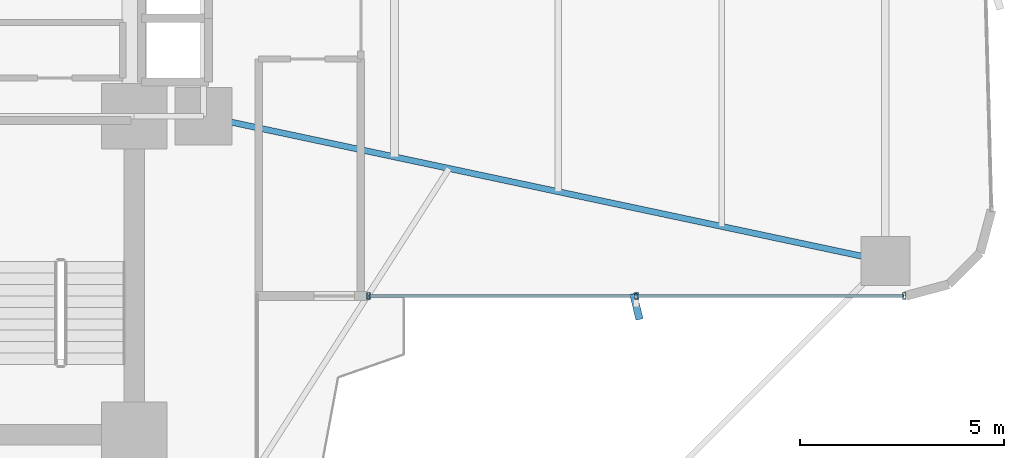
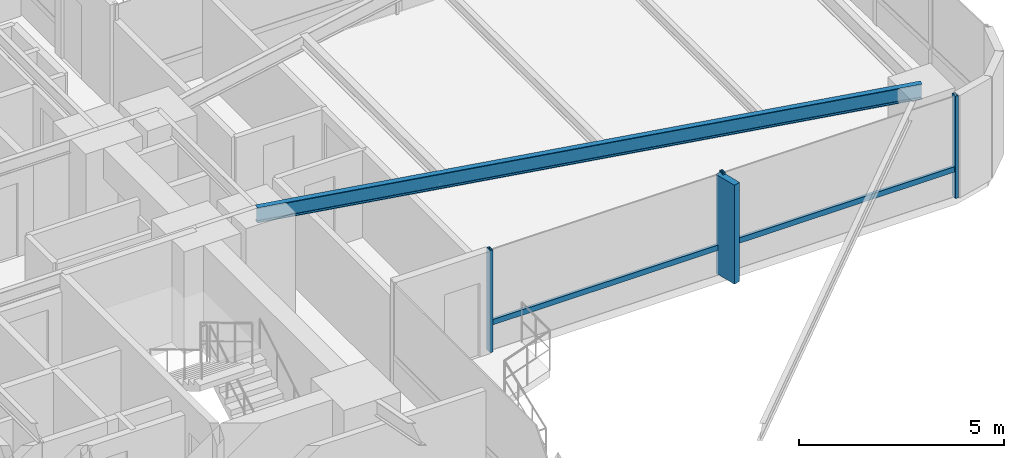
# One storey, part 14 of 26: 6 members, 1 beam, 1 element without a shape of its own.
"""IFC4 building model written with IfcOpenShell, lengths in metres."""

from ifc_helpers import new_model, si_unit, direction, frame, origin, origin_2d, place, context, subcontext, project, spatial, rectangle, hollow_rectangle, i_section, extrude, source, transform, mapped, material, material_profile, profile_set, type_object, element, aggregate, save


model = new_model("IFC4")

# Units and contexts
model_context = context("Model", 3, precision=1e-05, world=origin(), true_north=direction((0.0, 1.0)))
body_context = subcontext(model_context, "Body", "Model", "MODEL_VIEW")
ifc_project = project(units=[si_unit("LENGTHUNIT", "METRE"), si_unit("AREAUNIT", "SQUARE_METRE"), si_unit("VOLUMEUNIT", "CUBIC_METRE"), si_unit("PLANEANGLEUNIT", "RADIAN"), si_unit("MASSUNIT", "GRAM", prefix="KILO")], contexts=[model_context])

# Site, building, storey
site_placement = place(None, origin())
site = spatial("IfcSite", under=ifc_project, at=site_placement, CompositionType="ELEMENT")
building_placement = place(site_placement, origin())
building = spatial("IfcBuilding", under=site, at=building_placement, Name="Sahyath Konkavel Grand Hotel", CompositionType="ELEMENT")
storey_placement = place(building_placement, frame((0.0, 0.0, 43.199951171875)))
storey = spatial("IfcBuildingStorey", under=building, at=storey_placement, Name="L11", CompositionType="ELEMENT", Elevation=43.199951171875)

# Beam
ifc_material_1 = material(Name="Steel E350", Category="steel")
ifc_material_profile_1 = material_profile(ifc_material_1, i_section(OverallWidth=0.14990234375, OverallDepth=0.449951171875, WebThickness=0.009521484375, FlangeThickness=0.017333984375, FilletRadius=0.014892578125, at=origin_2d()), Name="ISMB 450")
ifc_profile_set_1 = profile_set([ifc_material_profile_1], Name="Steel E350")
beam_type = type_object("IfcBeamType", Name="BM-ISMB450", PredefinedType="BEAM", material=ifc_profile_set_1)
shared_shape_1 = source(origin(), body_context, "Body", "SweptSolid", [
    extrude(i_section(OverallWidth=0.14990234375, OverallDepth=0.449951171875, WebThickness=0.009521484375, FlangeThickness=0.017333984375, FilletRadius=0.014892578125, at=origin_2d()), origin(), (0.0, 0.0, 1.0), 17.072998046875),
])
beam_placement = place(storey_placement, frame((5.5, -2.39990234375, 2.824951171875), z_axis=(0.978143257225, -0.20793212437, 0.0), x_axis=(0.20793212437, 0.978143257225, 0.0)))
element("IfcBeam", 1, at=beam_placement, inside=storey, type_object=beam_type, Name="L11 Cruciform Radial Girder EA", PredefinedType="BEAM", context=body_context, shape_type="MappedRepresentation", body=[
    mapped(shared_shape_1, transform((0.0, 0.0, 0.0), scale=1.0)),
])

# Curtain wall, members
ifc_material_2 = material(Name="Anodised Bronze Aluminium & Low-E Glazing", Category="aluminium")
curtain_wall_type = type_object("IfcCurtainWallType", Name="CW-ZONE1", PredefinedType="NOTDEFINED", material=ifc_material_2)
curtain_wall_placement = place(storey_placement, origin())
curtain_wall = element("IfcCurtainWall", 2, at=curtain_wall_placement, inside=storey, type_object=curtain_wall_type, Name="L11 Unitised Curtain Wall F0", PredefinedType="NOTDEFINED")
ifc_material_3 = material(Name="Anodised Bronze Aluminium", Category="aluminium")
ifc_material_profile_2 = material_profile(ifc_material_3, hollow_rectangle(XDim=0.080078125, YDim=0.159912109375, WallThickness=0.006103515625, at=origin_2d()), Name="RHS 160x80x6")
ifc_profile_set_2 = profile_set([ifc_material_profile_2], Name="Anodised Bronze Aluminium")
member_type_1 = type_object("IfcMemberType", Name="CW-TRN-160", PredefinedType="USERDEFINED", material=ifc_profile_set_2)
shared_shape_2 = source(origin(), body_context, "Body", "SweptSolid", [
    extrude(hollow_rectangle(XDim=0.080078125, YDim=0.159912109375, WallThickness=0.006103515625, at=origin_2d()), origin(), (0.0, 0.0, 1.0), 6.56005859375),
])
member_1_placement = place(storey_placement, frame((9.5400390625, -6.800048828125, 0.85009765625), z_axis=(1.0, 0.0, 0.0), x_axis=(0.0, 1.0, 0.0)))
member_1 = element("IfcMember", 3, at=member_1_placement, type_object=member_type_1, Name="L11 Curtain Wall Transom F0-0-spandrel", ObjectType="TRANSOM", PredefinedType="USERDEFINED", context=body_context, shape_type="MappedRepresentation", body=[
    mapped(shared_shape_2, transform((0.0, 0.0, 0.0), scale=1.0)),
])
shared_shape_3 = source(origin(), body_context, "Body", "SweptSolid", [
    extrude(hollow_rectangle(XDim=0.080078125, YDim=0.159912109375, WallThickness=0.006103515625, at=origin_2d()), origin(), (0.0, 0.0, 1.0), 6.559814453125),
])
member_2_placement = place(storey_placement, frame((16.10009765625, -6.800048828125, 0.85009765625), z_axis=(1.0, 0.0, 0.0), x_axis=(0.0, 1.0, 0.0)))
member_2 = element("IfcMember", 4, at=member_2_placement, type_object=member_type_1, Name="L11 Curtain Wall Transom F0-1-spandrel", ObjectType="TRANSOM", PredefinedType="USERDEFINED", context=body_context, shape_type="MappedRepresentation", body=[
    mapped(shared_shape_3, transform((0.0, 0.0, 0.0), scale=1.0)),
])
ifc_material_profile_3 = material_profile(ifc_material_3, hollow_rectangle(XDim=0.080078125, YDim=0.159912109375, WallThickness=0.006103515625, at=origin_2d()), Name="RHS 160x80x6")
ifc_profile_set_3 = profile_set([ifc_material_profile_3], Name="Anodised Bronze Aluminium")
member_type_2 = type_object("IfcMemberType", Name="CW-MUL-160", PredefinedType="MULLION", material=ifc_profile_set_3)
shared_shape_4 = source(origin(), body_context, "Body", "SweptSolid", [
    extrude(hollow_rectangle(XDim=0.080078125, YDim=0.159912109375, WallThickness=0.006103515625, at=origin_2d()), origin(), (0.0, 0.0, 1.0), 3.050048828125),
])
member_3_placement = place(storey_placement, frame((9.5400390625, -6.800048828125, 0.0), z_axis=(0.0, 0.0, 1.0), x_axis=(1.0, 0.0, 0.0)))
member_3 = element("IfcMember", 5, at=member_3_placement, type_object=member_type_2, Name="L11 Curtain Wall Mullion F0-0", PredefinedType="MULLION", context=body_context, shape_type="MappedRepresentation", body=[
    mapped(shared_shape_4, transform((0.0, 0.0, 0.0), scale=1.0)),
])
member_4_placement = place(storey_placement, frame((16.10009765625, -6.800048828125, 0.0), z_axis=(0.0, 0.0, 1.0), x_axis=(1.0, 0.0, 0.0)))
member_4 = element("IfcMember", 6, at=member_4_placement, type_object=member_type_2, Name="L11 Curtain Wall Mullion F0-1", PredefinedType="MULLION", context=body_context, shape_type="MappedRepresentation", body=[
    mapped(shared_shape_4, transform((0.0, 0.0, 0.0), scale=1.0)),
])
member_5_placement = place(storey_placement, frame((22.659912109375, -6.800048828125, 0.0), z_axis=(0.0, 0.0, 1.0), x_axis=(1.0, 0.0, 0.0)))
member_5 = element("IfcMember", 7, at=member_5_placement, type_object=member_type_2, Name="L11 Curtain Wall Mullion F0-2", PredefinedType="MULLION", context=body_context, shape_type="MappedRepresentation", body=[
    mapped(shared_shape_4, transform((0.0, 0.0, 0.0), scale=1.0)),
])
ifc_material_4 = material(Name="Warm Buff Sandstone Cladding on Concrete C50/60", Category="masonry")
ifc_material_profile_4 = material_profile(ifc_material_4, rectangle(XDim=0.179931640625, YDim=0.64990234375, at=origin_2d()), Name="FIN 180x650")
ifc_profile_set_4 = profile_set([ifc_material_profile_4], Name="Warm Buff Sandstone Cladding on Concrete C50/60")
member_type_3 = type_object("IfcMemberType", Name="FIN-SANDSTONE-650", PredefinedType="MULLION", material=ifc_profile_set_4)
shared_shape_5 = source(origin(), body_context, "Body", "SweptSolid", [
    extrude(rectangle(XDim=0.179931640625, YDim=0.64990234375, at=origin_2d()), origin(), (0.0, 0.0, 1.0), 2.949951171875),
])
member_6_placement = place(storey_placement, frame((16.10009765625, -7.06005859375, 0.050048828125), z_axis=(0.0, 0.0, 1.0), x_axis=(0.970842131618, 0.239719743609, 0.0)))
member_6 = element("IfcMember", 8, at=member_6_placement, type_object=member_type_3, Name="L11 Sandstone Vertical Solar Fin FIN F0-1", PredefinedType="MULLION", context=body_context, shape_type="MappedRepresentation", body=[
    mapped(shared_shape_5, transform((0.0, 0.0, 0.0), scale=1.0)),
])
aggregate(curtain_wall, [member_3, member_4, member_6, member_5, member_1, member_2])

save(model, "model.ifc")
